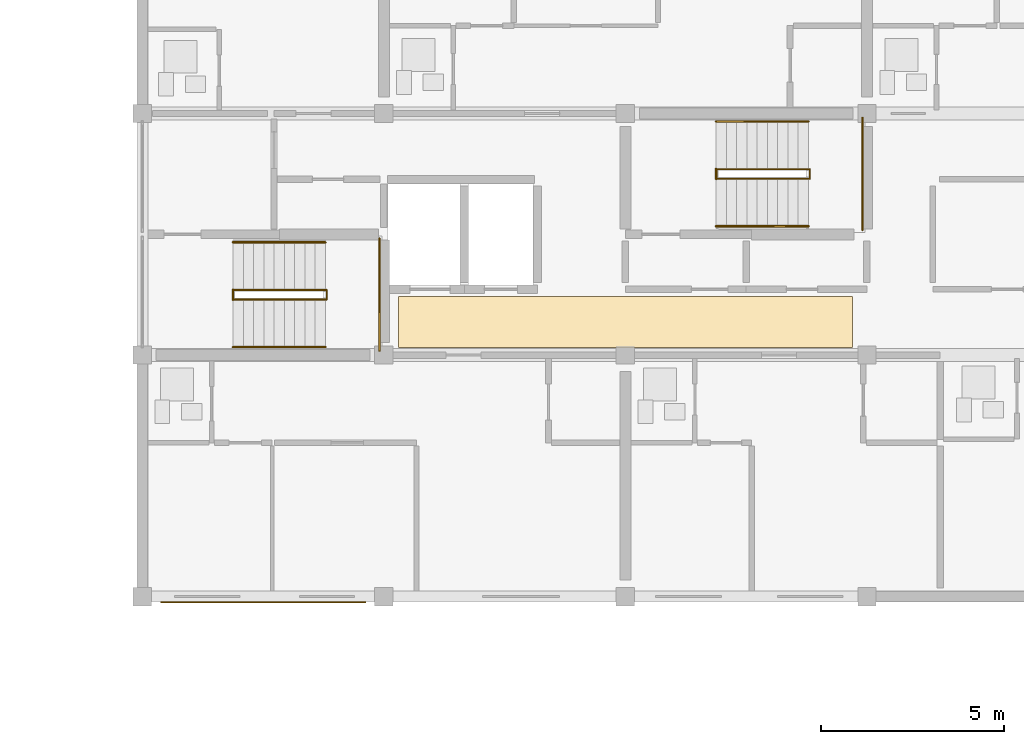
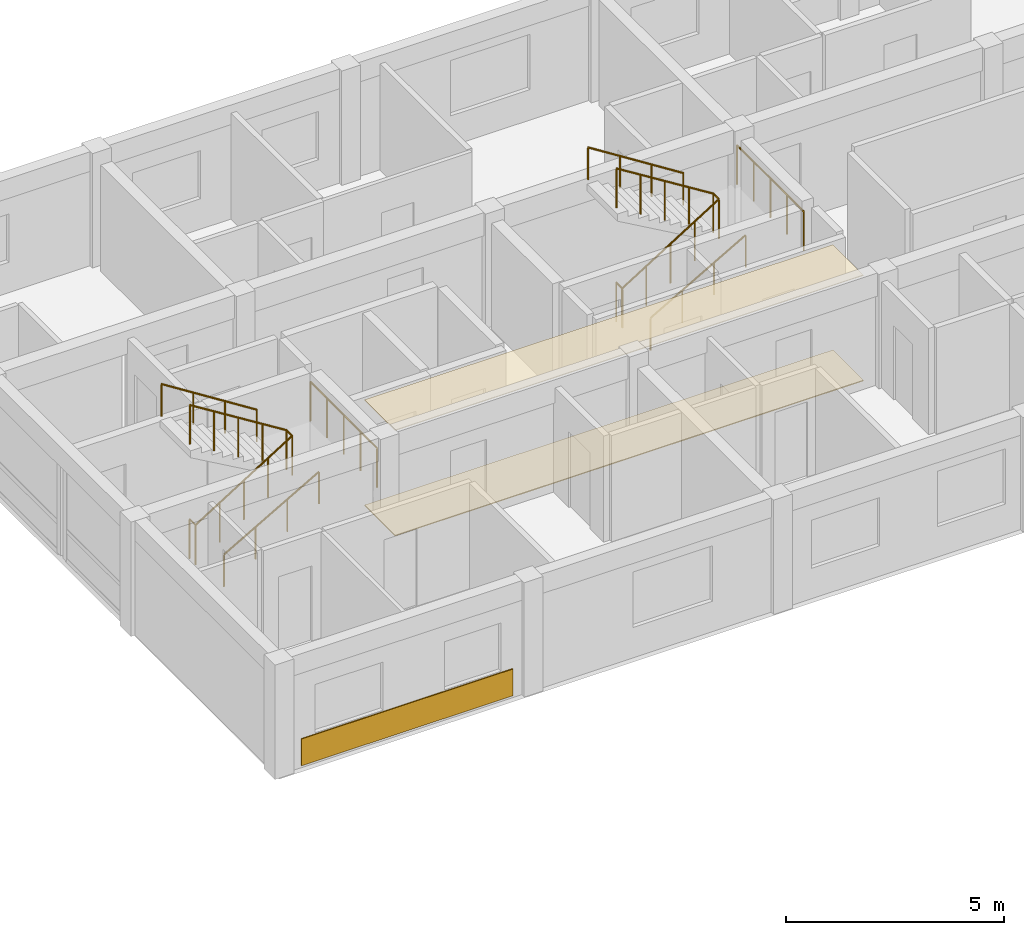
# One storey, part 44 of 46: 10 railings, 3 coverings.
"""IFC4 building model written with IfcOpenShell, lengths in metres."""

from ifc_helpers import new_model, si_unit, direction, frame, origin, origin_2d, place, context, subcontext, project, spatial, polyline, rectangle, circle, outline, extrude, material, layer, layer_set, type_object, element, save


model = new_model("IFC4")

# Units and contexts
model_context = context("Model", 3, precision=1e-05, world=origin(), true_north=direction((0.0, 1.0)))
body_context = subcontext(model_context, "Body", "Model", "MODEL_VIEW")
ifc_project = project(units=[si_unit("LENGTHUNIT", "METRE"), si_unit("AREAUNIT", "SQUARE_METRE"), si_unit("VOLUMEUNIT", "CUBIC_METRE"), si_unit("PLANEANGLEUNIT", "RADIAN"), si_unit("MASSUNIT", "GRAM", prefix="KILO")], contexts=[model_context])

# Site, building, storey
site_placement = place(None, origin())
site = spatial("IfcSite", under=ifc_project, at=site_placement, CompositionType="ELEMENT")
building_placement = place(site_placement, origin())
building = spatial("IfcBuilding", under=site, at=building_placement, Name="Kernevlak Ridge Housing Community", CompositionType="ELEMENT")
storey_placement = place(building_placement, frame((0.0, 0.0, 27.60009765625)))
storey = spatial("IfcBuildingStorey", under=building, at=storey_placement, Name="L08", CompositionType="ELEMENT", Elevation=27.60009765625)

# Coverings
ifc_material_1 = material(Name="Acoustic perforated gypsum ceiling board")
ifc_layer_1 = layer(ifc_material_1, 0.02001953125, Name="Acoustic perforated gypsum ceiling board")
ifc_layer_set_1 = layer_set([ifc_layer_1], Name="Acoustic perforated gypsum ceiling board")
covering_type_1 = type_object("IfcCoveringType", Name="CV-01", PredefinedType="CEILING", material=ifc_layer_set_1)
covering_1_placement = place(storey_placement, frame((0.0, 0.0, 2.949951171875)))
element("IfcCovering", 1, at=covering_1_placement, inside=storey, type_object=covering_type_1, Name="Block B L08 lobby acoustic ceiling", PredefinedType="CEILING", context=body_context, shape_type="SweptSolid", body=[
    extrude(outline(polyline([(126.39990234375, 89.39990234375), (138.800048828125, 89.39990234375), (138.800048828125, 90.800048828125), (126.39990234375, 90.800048828125), (126.39990234375, 89.39990234375)])), origin(), (0.0, 0.0, 1.0), 0.02001953125),
])
ifc_material_2 = material(Name="Polished pale terrazzo tile flooring")
ifc_layer_2 = layer(ifc_material_2, 0.02490234375, Name="Polished pale terrazzo tile flooring")
ifc_layer_set_2 = layer_set([ifc_layer_2], Name="Polished pale terrazzo tile flooring")
covering_type_2 = type_object("IfcCoveringType", Name="CV-02", PredefinedType="FLOORING", material=ifc_layer_set_2)
covering_2_placement = place(storey_placement, origin())
element("IfcCovering", 2, at=covering_2_placement, inside=storey, type_object=covering_type_2, Name="Block B L08 lobby terrazzo flooring", PredefinedType="FLOORING", context=body_context, shape_type="SweptSolid", body=[
    extrude(outline(polyline([(126.39990234375, 89.39990234375), (138.800048828125, 89.39990234375), (138.800048828125, 90.800048828125), (126.39990234375, 90.800048828125), (126.39990234375, 89.39990234375)])), origin(), (0.0, 0.0, 1.0), 0.02490234375),
])
ifc_material_3 = material(Name="Aluminium EN AW-5005 enamelled cladding", Category="aluminium")
ifc_layer_3 = layer(ifc_material_3, 0.030029296875, Name="Aluminium EN AW-5005 enamelled cladding")
ifc_layer_set_3 = layer_set([ifc_layer_3], Name="Aluminium EN AW-5005 enamelled cladding")
covering_type_3 = type_object("IfcCoveringType", Name="CV-04", PredefinedType="CLADDING", material=ifc_layer_set_3)
covering_3_placement = place(storey_placement, frame((122.699951171875, 82.445068359375, 0.074951171875), z_axis=(0.0, 0.0, 1.0), x_axis=(1.0, 0.0, 0.0)))
element("IfcCovering", 3, at=covering_3_placement, inside=storey, type_object=covering_type_3, Name="Block B L08 De Stijl blue spandrel cladding", PredefinedType="CLADDING", context=body_context, shape_type="SweptSolid", body=[
    extrude(rectangle(XDim=5.60009765625, YDim=0.030029296875, at=origin_2d()), origin(), (0.0, 0.0, 1.0), 0.75),
])

# Railings
ifc_material_4 = material(Name="Steel S355", Category="steel")
railing_type_1 = type_object("IfcRailingType", Name="GR-02", PredefinedType="GUARDRAIL", material=ifc_material_4)
railing_1_placement = place(storey_placement, frame((121.8798828125, 90.7099609375, 0.0)))
element("IfcRailing", 4, at=railing_1_placement, inside=storey, type_object=railing_type_1, Name="Stair ST-B1 L08 well slot guard", PredefinedType="GUARDRAIL", context=body_context, shape_type="SweptSolid", body=[
    extrude(circle(Radius=0.02392578125, at=origin_2d()), frame((0.0, 0.0, 1.09619140625), z_axis=(0.0, 1.0, 0.0), x_axis=(-1.0, 0.0, 0.0)), (0.0, 0.0, 1.0), 0.280029296875),
    extrude(circle(Radius=0.02099609375, at=origin_2d()), origin(), (0.0, 0.0, 1.0), 1.072021484375),
    extrude(circle(Radius=0.02099609375, at=origin_2d()), frame((0.0, 0.280029296875, 0.0)), (0.0, 0.0, 1.0), 1.072021484375),
])
railing_2_placement = place(storey_placement, frame((121.8798828125, 90.719970703125, 0.0)))
element("IfcRailing", 5, at=railing_2_placement, inside=storey, type_object=railing_type_1, Name="Stair ST-B1 L08 inner well guardrail", PredefinedType="GUARDRAIL", context=body_context, shape_type="SweptSolid", body=[
    extrude(circle(Radius=0.02392578125, at=origin_2d()), frame((0.0, 0.0, 1.09619140625), z_axis=(0.848025563165, 0.0, 0.529955322851), x_axis=(0.0, 1.0, 0.0)), (0.0, 0.0, 1.0), 3.018798828125),
    extrude(circle(Radius=0.02392578125, at=origin_2d()), frame((2.56005859375, 0.0, 2.69580078125), z_axis=(0.0, 1.0, 0.0), x_axis=(-1.0, 0.0, 0.0)), (0.0, 0.0, 1.0), 0.260009765625),
    extrude(circle(Radius=0.02392578125, at=origin_2d()), frame((2.56005859375, 0.260009765625, 2.69580078125), z_axis=(-0.847989217509, 0.0, 0.530013478119), x_axis=(0.0, -1.0, 0.0)), (0.0, 0.0, 1.0), 3.01904296875),
    extrude(circle(Radius=0.02099609375, at=origin_2d()), origin(), (0.0, 0.0, 1.0), 1.072021484375),
    extrude(circle(Radius=0.02099609375, at=origin_2d()), frame((0.64013671875, 0.0, 0.39990234375)), (0.0, 0.0, 1.0), 1.072021484375),
    extrude(circle(Radius=0.02099609375, at=origin_2d()), frame((1.280029296875, 0.0, 0.7998046875)), (0.0, 0.0, 1.0), 1.072021484375),
    extrude(circle(Radius=0.02099609375, at=origin_2d()), frame((1.919921875, 0.0, 1.199951171875)), (0.0, 0.0, 1.0), 1.072021484375),
    extrude(circle(Radius=0.02099609375, at=origin_2d()), frame((2.56005859375, 0.0, 1.599853515625)), (0.0, 0.0, 1.0), 1.072021484375),
    extrude(circle(Radius=0.02099609375, at=origin_2d()), frame((2.56005859375, 0.260009765625, 1.599853515625)), (0.0, 0.0, 1.0), 1.072021484375),
    extrude(circle(Radius=0.02099609375, at=origin_2d()), frame((1.919921875, 0.260009765625, 2.0)), (0.0, 0.0, 1.0), 1.072021484375),
    extrude(circle(Radius=0.02099609375, at=origin_2d()), frame((1.280029296875, 0.260009765625, 2.39990234375)), (0.0, 0.0, 1.0), 1.072021484375),
    extrude(circle(Radius=0.02099609375, at=origin_2d()), frame((0.64013671875, 0.260009765625, 2.7998046875)), (0.0, 0.0, 1.0), 1.072021484375),
    extrude(circle(Radius=0.02099609375, at=origin_2d()), frame((0.0, 0.260009765625, 3.199951171875)), (0.0, 0.0, 1.0), 1.072021484375),
])
railing_3_placement = place(storey_placement, frame((125.8798828125, 89.320068359375, 1.599853515625)))
element("IfcRailing", 6, at=railing_3_placement, inside=storey, type_object=railing_type_1, Name="Stair ST-B1 L08 half-landing guard", PredefinedType="GUARDRAIL", context=body_context, shape_type="SweptSolid", body=[
    extrude(circle(Radius=0.02392578125, at=origin_2d()), frame((0.0, 0.0, 1.09619140625), z_axis=(0.0, 1.0, 0.0), x_axis=(-1.0, 0.0, 0.0)), (0.0, 0.0, 1.0), 3.059814453125),
    extrude(circle(Radius=0.02099609375, at=origin_2d()), origin(), (0.0, 0.0, 1.0), 1.072021484375),
    extrude(circle(Radius=0.02099609375, at=origin_2d()), frame((0.0, 0.764892578125, 0.0)), (0.0, 0.0, 1.0), 1.072021484375),
    extrude(circle(Radius=0.02099609375, at=origin_2d()), frame((0.0, 1.52978515625, 0.0)), (0.0, 0.0, 1.0), 1.072021484375),
    extrude(circle(Radius=0.02099609375, at=origin_2d()), frame((0.0, 2.294921875, 0.0)), (0.0, 0.0, 1.0), 1.072021484375),
    extrude(circle(Radius=0.02099609375, at=origin_2d()), frame((0.0, 3.059814453125, 0.0)), (0.0, 0.0, 1.0), 1.072021484375),
])
railing_4_placement = place(storey_placement, frame((135.080078125, 94.010009765625, 0.0)))
element("IfcRailing", 7, at=railing_4_placement, inside=storey, type_object=railing_type_1, Name="Stair ST-B2 L08 well slot guard", PredefinedType="GUARDRAIL", context=body_context, shape_type="SweptSolid", body=[
    extrude(circle(Radius=0.02392578125, at=origin_2d()), frame((0.0, 0.0, 1.09619140625), z_axis=(0.0, 1.0, 0.0), x_axis=(-1.0, 0.0, 0.0)), (0.0, 0.0, 1.0), 0.280029296875),
    extrude(circle(Radius=0.02099609375, at=origin_2d()), origin(), (0.0, 0.0, 1.0), 1.072021484375),
    extrude(circle(Radius=0.02099609375, at=origin_2d()), frame((0.0, 0.280029296875, 0.0)), (0.0, 0.0, 1.0), 1.072021484375),
])
railing_5_placement = place(storey_placement, frame((135.080078125, 94.02001953125, 0.0)))
element("IfcRailing", 8, at=railing_5_placement, inside=storey, type_object=railing_type_1, Name="Stair ST-B2 L08 inner well guardrail", PredefinedType="GUARDRAIL", context=body_context, shape_type="SweptSolid", body=[
    extrude(circle(Radius=0.02392578125, at=origin_2d()), frame((0.0, 0.0, 1.09619140625), z_axis=(0.848002847666, 0.0, 0.529991670077), x_axis=(0.0, 1.0, 0.0)), (0.0, 0.0, 1.0), 3.0185546875),
    extrude(circle(Radius=0.02392578125, at=origin_2d()), frame((2.559814453125, 0.0, 2.69580078125), z_axis=(0.0, 1.0, 0.0), x_axis=(-1.0, 0.0, 0.0)), (0.0, 0.0, 1.0), 0.260009765625),
    extrude(circle(Radius=0.02392578125, at=origin_2d()), frame((2.559814453125, 0.260009765625, 2.69580078125), z_axis=(-0.847966497998, 0.0, 0.530049826217), x_axis=(0.0, -1.0, 0.0)), (0.0, 0.0, 1.0), 3.018798828125),
    extrude(circle(Radius=0.02099609375, at=origin_2d()), origin(), (0.0, 0.0, 1.0), 1.072021484375),
    extrude(circle(Radius=0.02099609375, at=origin_2d()), frame((0.639892578125, 0.0, 0.39990234375)), (0.0, 0.0, 1.0), 1.072021484375),
    extrude(circle(Radius=0.02099609375, at=origin_2d()), frame((1.27978515625, 0.0, 0.7998046875)), (0.0, 0.0, 1.0), 1.072021484375),
    extrude(circle(Radius=0.02099609375, at=origin_2d()), frame((1.919921875, 0.0, 1.199951171875)), (0.0, 0.0, 1.0), 1.072021484375),
    extrude(circle(Radius=0.02099609375, at=origin_2d()), frame((2.559814453125, 0.0, 1.599853515625)), (0.0, 0.0, 1.0), 1.072021484375),
    extrude(circle(Radius=0.02099609375, at=origin_2d()), frame((2.559814453125, 0.260009765625, 1.599853515625)), (0.0, 0.0, 1.0), 1.072021484375),
    extrude(circle(Radius=0.02099609375, at=origin_2d()), frame((1.919921875, 0.260009765625, 2.0)), (0.0, 0.0, 1.0), 1.072021484375),
    extrude(circle(Radius=0.02099609375, at=origin_2d()), frame((1.27978515625, 0.260009765625, 2.39990234375)), (0.0, 0.0, 1.0), 1.072021484375),
    extrude(circle(Radius=0.02099609375, at=origin_2d()), frame((0.639892578125, 0.260009765625, 2.7998046875)), (0.0, 0.0, 1.0), 1.072021484375),
    extrude(circle(Radius=0.02099609375, at=origin_2d()), frame((0.0, 0.260009765625, 3.199951171875)), (0.0, 0.0, 1.0), 1.072021484375),
])
railing_6_placement = place(storey_placement, frame((139.080078125, 92.6201171875, 1.599853515625)))
element("IfcRailing", 9, at=railing_6_placement, inside=storey, type_object=railing_type_1, Name="Stair ST-B2 L08 half-landing guard", PredefinedType="GUARDRAIL", context=body_context, shape_type="SweptSolid", body=[
    extrude(circle(Radius=0.02392578125, at=origin_2d()), frame((0.0, 0.0, 1.09619140625), z_axis=(0.0, 1.0, 0.0), x_axis=(-1.0, 0.0, 0.0)), (0.0, 0.0, 1.0), 3.059814453125),
    extrude(circle(Radius=0.02099609375, at=origin_2d()), origin(), (0.0, 0.0, 1.0), 1.072021484375),
    extrude(circle(Radius=0.02099609375, at=origin_2d()), frame((0.0, 0.764892578125, 0.0)), (0.0, 0.0, 1.0), 1.072021484375),
    extrude(circle(Radius=0.02099609375, at=origin_2d()), frame((0.0, 1.52978515625, 0.0)), (0.0, 0.0, 1.0), 1.072021484375),
    extrude(circle(Radius=0.02099609375, at=origin_2d()), frame((0.0, 2.294921875, 0.0)), (0.0, 0.0, 1.0), 1.072021484375),
    extrude(circle(Radius=0.02099609375, at=origin_2d()), frame((0.0, 3.059814453125, 0.0)), (0.0, 0.0, 1.0), 1.072021484375),
])
ifc_material_5 = material(Name="Stainless steel EN 1.4401", Category="steel")
railing_type_2 = type_object("IfcRailingType", Name="HR-01", PredefinedType="HANDRAIL", material=ifc_material_5)
railing_7_placement = place(storey_placement, frame((121.8798828125, 89.419921875, 0.159912109375)))
element("IfcRailing", 10, at=railing_7_placement, inside=storey, type_object=railing_type_2, Name="Stair ST-B1 L08 flight 1 handrail", PredefinedType="HANDRAIL", context=body_context, shape_type="SweptSolid", body=[
    extrude(circle(Radius=0.02392578125, at=origin_2d()), frame((0.0, 0.0, 0.89599609375), z_axis=(0.868253494771, 0.0, 0.496120820787), x_axis=(0.0, 1.0, 0.0)), (0.0, 0.0, 1.0), 2.90234375),
    extrude(circle(Radius=0.02099609375, at=origin_2d()), origin(), (0.0, 0.0, 1.0), 0.871826171875),
    extrude(circle(Radius=0.02099609375, at=origin_2d()), frame((0.840087890625, 0.0, 0.47998046875)), (0.0, 0.0, 1.0), 0.871826171875),
    extrude(circle(Radius=0.02099609375, at=origin_2d()), frame((1.679931640625, 0.0, 0.9599609375)), (0.0, 0.0, 1.0), 0.871826171875),
    extrude(circle(Radius=0.02099609375, at=origin_2d()), frame((2.52001953125, 0.0, 1.43994140625)), (0.0, 0.0, 1.0), 0.871826171875),
])
railing_8_placement = place(storey_placement, frame((124.39990234375, 92.280029296875, 1.599853515625)))
element("IfcRailing", 11, at=railing_8_placement, inside=storey, type_object=railing_type_2, Name="Stair ST-B1 L08 flight 2 handrail", PredefinedType="HANDRAIL", context=body_context, shape_type="SweptSolid", body=[
    extrude(circle(Radius=0.02392578125, at=origin_2d()), frame((0.0, 0.0, 0.89599609375), z_axis=(-0.844199891302, 0.0, 0.536028491338), x_axis=(0.0, -1.0, 0.0)), (0.0, 0.0, 1.0), 2.985107421875),
    extrude(circle(Radius=0.02099609375, at=origin_2d()), origin(), (0.0, 0.0, 1.0), 0.871826171875),
    extrude(circle(Radius=0.02099609375, at=origin_2d()), frame((-0.840087890625, 0.0, 0.533447265625)), (0.0, 0.0, 1.0), 0.871826171875),
    extrude(circle(Radius=0.02099609375, at=origin_2d()), frame((-1.679931640625, 0.0, 1.066650390625)), (0.0, 0.0, 1.0), 0.871826171875),
    extrude(circle(Radius=0.02099609375, at=origin_2d()), frame((-2.52001953125, 0.0, 1.60009765625)), (0.0, 0.0, 1.0), 0.871826171875),
])
railing_9_placement = place(storey_placement, frame((135.080078125, 92.719970703125, 0.159912109375)))
element("IfcRailing", 12, at=railing_9_placement, inside=storey, type_object=railing_type_2, Name="Stair ST-B2 L08 flight 1 handrail", PredefinedType="HANDRAIL", context=body_context, shape_type="SweptSolid", body=[
    extrude(circle(Radius=0.02392578125, at=origin_2d()), frame((0.0, 0.0, 0.89599609375), z_axis=(0.868253494771, 0.0, 0.496120820787), x_axis=(0.0, 1.0, 0.0)), (0.0, 0.0, 1.0), 2.90234375),
    extrude(circle(Radius=0.02099609375, at=origin_2d()), origin(), (0.0, 0.0, 1.0), 0.871826171875),
    extrude(circle(Radius=0.02099609375, at=origin_2d()), frame((0.840087890625, 0.0, 0.47998046875)), (0.0, 0.0, 1.0), 0.871826171875),
    extrude(circle(Radius=0.02099609375, at=origin_2d()), frame((1.679931640625, 0.0, 0.9599609375)), (0.0, 0.0, 1.0), 0.871826171875),
    extrude(circle(Radius=0.02099609375, at=origin_2d()), frame((2.52001953125, 0.0, 1.43994140625)), (0.0, 0.0, 1.0), 0.871826171875),
])
railing_10_placement = place(storey_placement, frame((137.60009765625, 95.580078125, 1.599853515625)))
element("IfcRailing", 13, at=railing_10_placement, inside=storey, type_object=railing_type_2, Name="Stair ST-B2 L08 flight 2 handrail", PredefinedType="HANDRAIL", context=body_context, shape_type="SweptSolid", body=[
    extrude(circle(Radius=0.02392578125, at=origin_2d()), frame((0.0, 0.0, 0.89599609375), z_axis=(-0.844199891302, 0.0, 0.536028491338), x_axis=(0.0, -1.0, 0.0)), (0.0, 0.0, 1.0), 2.985107421875),
    extrude(circle(Radius=0.02099609375, at=origin_2d()), origin(), (0.0, 0.0, 1.0), 0.871826171875),
    extrude(circle(Radius=0.02099609375, at=origin_2d()), frame((-0.840087890625, 0.0, 0.533447265625)), (0.0, 0.0, 1.0), 0.871826171875),
    extrude(circle(Radius=0.02099609375, at=origin_2d()), frame((-1.679931640625, 0.0, 1.066650390625)), (0.0, 0.0, 1.0), 0.871826171875),
    extrude(circle(Radius=0.02099609375, at=origin_2d()), frame((-2.52001953125, 0.0, 1.60009765625)), (0.0, 0.0, 1.0), 0.871826171875),
])

save(model, "model.ifc")
